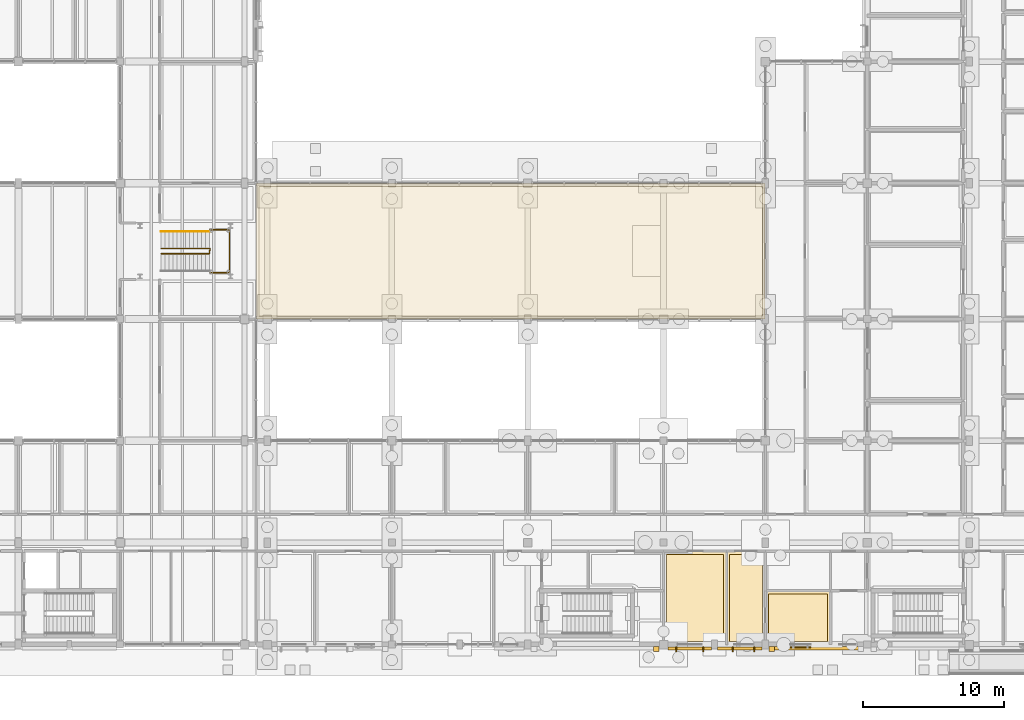
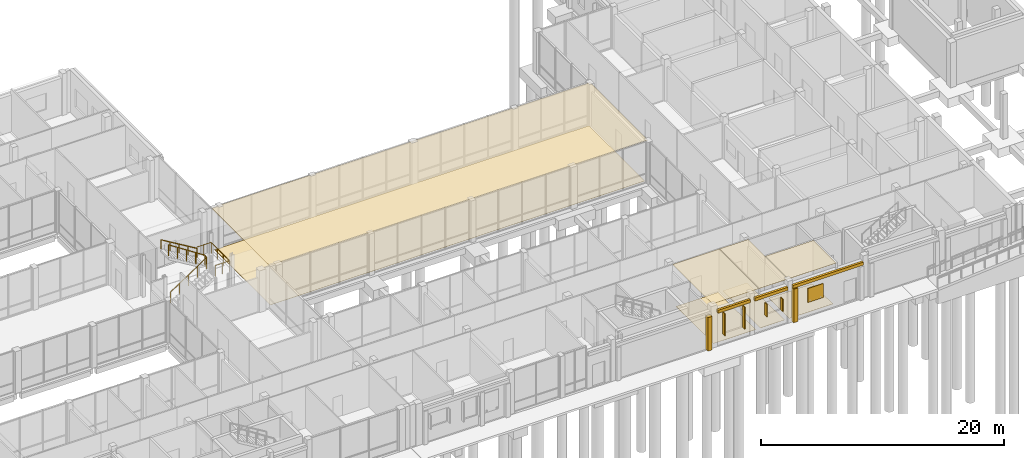
# One storey, part 98 of 104: 13 coverings, 5 shading devices, 3 railings.
"""IFC4 building model written with IfcOpenShell, lengths in metres."""

from ifc_helpers import new_model, si_unit, direction, frame, origin, origin_2d, place, context, subcontext, project, spatial, polyline, rectangle, circle, outline, extrude, material, layer, layer_set, type_object, element, save


model = new_model("IFC4")

# Units and contexts
model_context = context("Model", 3, precision=1e-05, world=origin(), true_north=direction((0.0, 1.0)))
body_context = subcontext(model_context, "Body", "Model", "MODEL_VIEW")
ifc_project = project(units=[si_unit("LENGTHUNIT", "METRE"), si_unit("AREAUNIT", "SQUARE_METRE"), si_unit("VOLUMEUNIT", "CUBIC_METRE"), si_unit("PLANEANGLEUNIT", "RADIAN"), si_unit("MASSUNIT", "GRAM", prefix="KILO")], contexts=[model_context])

# Site, building, storey
site_placement = place(None, origin())
site = spatial("IfcSite", under=ifc_project, at=site_placement, CompositionType="ELEMENT")
building_placement = place(site_placement, origin())
building = spatial("IfcBuilding", under=site, at=building_placement, Name="Hawrajan Terrace Health Centre", CompositionType="ELEMENT")
storey_placement = place(building_placement, origin())
storey = spatial("IfcBuildingStorey", under=building, at=storey_placement, Name="L00", CompositionType="ELEMENT", Elevation=0.0)

# Coverings
ifc_material_1 = material(Name="Precast concrete C40/50", Category="concrete")
ifc_layer_1 = layer(ifc_material_1, 0.219970703125)
ifc_layer_set_1 = layer_set([ifc_layer_1], Name="Precast concrete C40/50")
covering_type_1 = type_object("IfcCoveringType", Name="ArtDecoCorniceBand", PredefinedType="CLADDING", material=ifc_layer_set_1)
covering_1_placement = place(storey_placement, frame((102.449951171875, 3.929931640625, 3.3701171875), z_axis=(0.0, 0.0, 1.0), x_axis=(1.0, 0.0, 0.0)))
element("IfcCovering", 1, at=covering_1_placement, inside=storey, type_object=covering_type_1, Name="Art Deco limestone cornice band CRN-L00-0038", PredefinedType="CLADDING", context=body_context, shape_type="SweptSolid", body=[
    extrude(rectangle(XDim=3.06005859375, YDim=0.219970703125, at=origin_2d()), origin(), (0.0, 0.0, 1.0), 0.300048828125),
])
covering_2_placement = place(storey_placement, frame((105.987548828125, 3.929931640625, 3.3701171875), z_axis=(0.0, 0.0, 1.0), x_axis=(1.0, 0.0, 0.0)))
element("IfcCovering", 2, at=covering_2_placement, inside=storey, type_object=covering_type_1, Name="Art Deco limestone cornice band CRN-L00-0039", PredefinedType="CLADDING", context=body_context, shape_type="SweptSolid", body=[
    extrude(rectangle(XDim=3.135009765625, YDim=0.219970703125, at=origin_2d()), origin(), (0.0, 0.0, 1.0), 0.300048828125),
])
covering_3_placement = place(storey_placement, frame((111.387451171875, 3.93994140625, 3.3701171875), z_axis=(0.0, 0.0, 1.0), x_axis=(1.0, 0.0, 0.0)))
element("IfcCovering", 3, at=covering_3_placement, inside=storey, type_object=covering_type_1, Name="Art Deco limestone cornice band CRN-L00-0040", PredefinedType="CLADDING", context=body_context, shape_type="SweptSolid", body=[
    extrude(rectangle(XDim=6.68505859375, YDim=0.219970703125, at=origin_2d()), origin(), (0.0, 0.0, 1.0), 0.300048828125),
])
ifc_layer_2 = layer(ifc_material_1, 0.340087890625)
ifc_layer_set_2 = layer_set([ifc_layer_2], Name="Precast concrete C40/50")
covering_type_2 = type_object("IfcCoveringType", Name="ArtDecoStonePilaster", PredefinedType="CLADDING", material=ifc_layer_set_2)
for number, where, z_axis, x_axis, name in (
    (4, (100.080078125, 3.8798828125, 0.0), (0.0, 0.0, 1.0), (1.0, 0.0, 0.0), "Art Deco fluted limestone pilaster FPIL-L00-0048"),
    (5, (108.2451171875, 3.8798828125, 0.0), (0.0, 0.0, 1.0), (1.0, 0.0, 0.0), "Art Deco fluted limestone pilaster FPIL-L00-0049"),
):
    element("IfcCovering", number, at=place(storey_placement, frame(where, z_axis=z_axis, x_axis=x_axis)), inside=storey, type_object=covering_type_2, Name=name, PredefinedType="CLADDING", context=body_context, shape_type="SweptSolid", body=[
        extrude(rectangle(XDim=0.39990234375, YDim=0.340087890625, at=origin_2d()), origin(), (0.0, 0.0, 1.0), 3.360107421875),
    ])
ifc_material_2 = material(Name="Acoustic linear cedar-slat suspended ceiling")
ifc_layer_3 = layer(ifc_material_2, 0.034912109375)
ifc_layer_set_3 = layer_set([ifc_layer_3], Name="Acoustic linear cedar-slat suspended ceiling")
covering_type_3 = type_object("IfcCoveringType", Name="CedarSlatHallCeiling_35", PredefinedType="CEILING", material=ifc_layer_set_3)
covering_4_placement = place(storey_placement, frame((0.0, 0.0, 4.14501953125)))
element("IfcCovering", 6, at=covering_4_placement, inside=storey, type_object=covering_type_3, Name="Suspended ceiling L00-050", PredefinedType="CEILING", context=body_context, shape_type="SweptSolid", body=[
    extrude(outline(polyline([(71.824951171875, 36.780029296875), (107.780029296875, 36.780029296875), (107.780029296875, 27.219970703125), (71.824951171875, 27.219970703125), (71.824951171875, 36.780029296875)])), origin(), (0.0, 0.0, 1.0), 0.034912109375),
])
ifc_material_3 = material(Name="Hygienic mineral-fibre acoustic tile ceiling")
ifc_layer_4 = layer(ifc_material_3, 0.02490234375)
ifc_layer_set_4 = layer_set([ifc_layer_4], Name="Hygienic mineral-fibre acoustic tile ceiling")
covering_type_4 = type_object("IfcCoveringType", Name="ClinicalAcousticCeiling_25", PredefinedType="CEILING", material=ifc_layer_set_4)
covering_5_placement = place(storey_placement, frame((0.0, 0.0, 4.155029296875)))
element("IfcCovering", 7, at=covering_5_placement, inside=storey, type_object=covering_type_4, Name="Suspended ceiling L00-108", PredefinedType="CEILING", context=body_context, shape_type="SweptSolid", body=[
    extrude(outline(polyline([(100.6201171875, 10.780029296875), (105.036865234375, 10.780029296875), (105.036865234375, 4.219970703125), (100.6201171875, 4.219970703125), (100.6201171875, 10.780029296875)])), origin(), (0.0, 0.0, 1.0), 0.02490234375),
])
covering_6_placement = place(storey_placement, frame((0.0, 0.0, 4.155029296875)))
element("IfcCovering", 8, at=covering_6_placement, inside=storey, type_object=covering_type_4, Name="Suspended ceiling L00-109", PredefinedType="CEILING", context=body_context, shape_type="SweptSolid", body=[
    extrude(outline(polyline([(105.076904296875, 10.780029296875), (107.780029296875, 10.780029296875), (107.780029296875, 4.219970703125), (105.076904296875, 4.219970703125), (105.076904296875, 10.780029296875)])), origin(), (0.0, 0.0, 1.0), 0.02490234375),
])
covering_7_placement = place(storey_placement, frame((0.0, 0.0, 4.155029296875)))
element("IfcCovering", 9, at=covering_7_placement, inside=storey, type_object=covering_type_4, Name="Suspended ceiling L00-111", PredefinedType="CEILING", context=body_context, shape_type="SweptSolid", body=[
    extrude(outline(polyline([(107.820068359375, 7.97998046875), (112.3798828125, 7.97998046875), (112.3798828125, 4.219970703125), (107.820068359375, 4.219970703125), (107.820068359375, 7.97998046875)])), origin(), (0.0, 0.0, 1.0), 0.02490234375),
])
ifc_material_4 = material(Name="Seamless medical-grade cushioned vinyl flooring")
ifc_layer_5 = layer(ifc_material_4, 0.011962890625)
ifc_layer_set_5 = layer_set([ifc_layer_5], Name="Seamless medical-grade cushioned vinyl flooring")
covering_type_5 = type_object("IfcCoveringType", Name="ClinicalVinylFlooring_12", PredefinedType="FLOORING", material=ifc_layer_set_5)
covering_8_placement = place(storey_placement, origin())
element("IfcCovering", 10, at=covering_8_placement, inside=storey, type_object=covering_type_5, Name="Floor finish L00-108", PredefinedType="FLOORING", context=body_context, shape_type="SweptSolid", body=[
    extrude(outline(polyline([(100.820068359375, 10.580078125), (104.8369140625, 10.580078125), (104.8369140625, 4.419921875), (100.820068359375, 4.419921875), (100.820068359375, 10.580078125)])), origin(), (0.0, 0.0, 1.0), 0.011962890625),
])
covering_9_placement = place(storey_placement, origin())
element("IfcCovering", 11, at=covering_9_placement, inside=storey, type_object=covering_type_5, Name="Floor finish L00-109", PredefinedType="FLOORING", context=body_context, shape_type="SweptSolid", body=[
    extrude(outline(polyline([(105.27685546875, 10.580078125), (107.580078125, 10.580078125), (107.580078125, 4.419921875), (105.27685546875, 4.419921875), (105.27685546875, 10.580078125)])), origin(), (0.0, 0.0, 1.0), 0.011962890625),
])
covering_10_placement = place(storey_placement, origin())
element("IfcCovering", 12, at=covering_10_placement, inside=storey, type_object=covering_type_5, Name="Floor finish L00-111", PredefinedType="FLOORING", context=body_context, shape_type="SweptSolid", body=[
    extrude(outline(polyline([(108.02001953125, 7.780029296875), (112.179931640625, 7.780029296875), (112.179931640625, 4.419921875), (108.02001953125, 4.419921875), (108.02001953125, 7.780029296875)])), origin(), (0.0, 0.0, 1.0), 0.011962890625),
])

# Shading devices
ifc_material_5 = material(Name="Anodized bronze mashrabiya vertical solar fin")
ifc_layer_6 = layer(ifc_material_5, 0.080078125)
ifc_layer_set_6 = layer_set([ifc_layer_6], Name="Anodized bronze mashrabiya vertical solar fin")
shading_device_type_1 = type_object("IfcShadingDeviceType", Name="MashrabiyaVerticalFin", PredefinedType="USERDEFINED", material=ifc_layer_set_6)
for number, where, z_axis, x_axis, name in (
    (13, (101.5, 3.860107421875, 1.0), (0.0, 0.0, 1.0), (1.0, 0.0, 0.0), "Bronze mashrabiya solar fin FIN-L00-0038"),
    (14, (103.39990234375, 3.860107421875, 1.0), (0.0, 0.0, 1.0), (1.0, 0.0, 0.0), "Bronze mashrabiya solar fin FIN-L00-0039"),
):
    element("IfcShadingDevice", number, at=place(storey_placement, frame(where, z_axis=z_axis, x_axis=x_axis)), inside=storey, type_object=shading_device_type_1, Name=name, ObjectType="SOLAR_FIN", PredefinedType="USERDEFINED", context=body_context, shape_type="SweptSolid", body=[
        extrude(rectangle(XDim=0.080078125, YDim=0.360107421875, at=origin_2d()), origin(), (0.0, 0.0, 1.0), 2.199951171875),
    ])
for number, where, z_axis, x_axis, name in (
    (15, (105.505859375, 3.860107421875, 1.5), (0.0, 0.0, 1.0), (1.0, 0.0, 0.0), "Bronze mashrabiya solar fin FIN-L00-0040"),
    (16, (107.005859375, 3.860107421875, 1.5), (0.0, 0.0, 1.0), (1.0, 0.0, 0.0), "Bronze mashrabiya solar fin FIN-L00-0041"),
):
    element("IfcShadingDevice", number, at=place(storey_placement, frame(where, z_axis=z_axis, x_axis=x_axis)), inside=storey, type_object=shading_device_type_1, Name=name, ObjectType="SOLAR_FIN", PredefinedType="USERDEFINED", context=body_context, shape_type="SweptSolid", body=[
        extrude(rectangle(XDim=0.080078125, YDim=0.360107421875, at=origin_2d()), origin(), (0.0, 0.0, 1.0), 1.25),
    ])
ifc_material_6 = material(Name="Anodized bronze and cedar roshan lattice")
ifc_layer_7 = layer(ifc_material_6, 0.080078125)
ifc_layer_set_7 = layer_set([ifc_layer_7], Name="Anodized bronze and cedar roshan lattice")
shading_device_type_2 = type_object("IfcShadingDeviceType", Name="RoshanScreen_BronzeCedar", PredefinedType="JALOUSIE", material=ifc_layer_set_7)
shading_device_placement = place(storey_placement, frame((110.2724609375, 4.0048828125, 1.35009765625), z_axis=(0.0, 0.0, 1.0), x_axis=(1.0, 0.0, 0.0)))
element("IfcShadingDevice", 17, at=shading_device_placement, inside=storey, type_object=shading_device_type_2, Name="Hijazi roshan solar screen RSH-L00-042", PredefinedType="JALOUSIE", context=body_context, shape_type="SweptSolid", body=[
    extrude(rectangle(XDim=1.449951171875, YDim=0.080078125, at=origin_2d()), origin(), (0.0, 0.0, 1.0), 1.39990234375),
])

# Railings
ifc_material_7 = material(Name="Brushed stainless steel tubular handrail", Category="steel")
railing_type_1 = type_object("IfcRailingType", Name="StairHandrail_900", PredefinedType="HANDRAIL", material=ifc_material_7)
railing_1_placement = place(storey_placement, frame((68.52490234375, 33.39990234375, 2.423095703125)))
element("IfcRailing", 18, at=railing_1_placement, inside=storey, type_object=railing_type_1, Name="Stair handrail ST-10-L00-H2", PredefinedType="HANDRAIL", context=body_context, shape_type="SweptSolid", body=[
    extrude(circle(Radius=0.02392578125, at=origin_2d()), frame((-0.024658203125, 0.0, 0.890625), z_axis=(-0.856732359591, 0.0, 0.515761247119), x_axis=(0.0, -1.0, 0.0)), (0.0, 0.0, 1.0), 3.96923828125),
    extrude(circle(Radius=0.02099609375, at=origin_2d()), origin(), (0.0, 0.0, 1.0), 0.846923828125),
    extrude(circle(Radius=0.02099609375, at=origin_2d()), frame((-0.862548828125, 0.0, 0.519287109375)), (0.0, 0.0, 1.0), 0.846923828125),
    extrude(circle(Radius=0.02099609375, at=origin_2d()), frame((-1.72509765625, 0.0, 1.03857421875)), (0.0, 0.0, 1.0), 0.846923828125),
    extrude(circle(Radius=0.02099609375, at=origin_2d()), frame((-2.58740234375, 0.0, 1.5576171875)), (0.0, 0.0, 1.0), 0.846923828125),
    extrude(circle(Radius=0.02099609375, at=origin_2d()), frame((-3.449951171875, 0.0, 2.076904296875)), (0.0, 0.0, 1.0), 0.846923828125),
])
ifc_material_8 = material(Name="Painted steel stair well guard", Category="steel")
railing_type_2 = type_object("IfcRailingType", Name="StairWellGuard_1120", PredefinedType="GUARDRAIL", material=ifc_material_8)
railing_2_placement = place(storey_placement, frame((68.5400390625, 30.47998046875, 2.25)))
element("IfcRailing", 19, at=railing_2_placement, inside=storey, type_object=railing_type_2, Name="Feature stair half-landing perimeter guard", PredefinedType="GUARDRAIL", context=body_context, shape_type="SweptSolid", body=[
    extrude(circle(Radius=0.02392578125, at=origin_2d()), frame((0.02880859375, 0.0, 1.09619140625), z_axis=(1.0, 0.0, 0.0), x_axis=(0.0, 1.0, 0.0)), (0.0, 0.0, 1.0), 1.322265625),
    extrude(circle(Radius=0.02392578125, at=origin_2d()), frame((1.3798828125, 0.02880859375, 1.09619140625), z_axis=(0.0, 1.0, 0.0), x_axis=(-1.0, 0.0, 0.0)), (0.0, 0.0, 1.0), 2.982421875),
    extrude(circle(Radius=0.02392578125, at=origin_2d()), frame((1.35107421875, 3.0400390625, 1.09619140625), z_axis=(-1.0, 0.0, 0.0), x_axis=(0.0, -1.0, 0.0)), (0.0, 0.0, 1.0), 1.322265625),
    extrude(circle(Radius=0.02099609375, at=origin_2d()), origin(), (0.0, 0.0, 1.0), 1.067138671875),
    extrude(circle(Radius=0.02099609375, at=origin_2d()), frame((0.68994140625, 0.0, 0.0)), (0.0, 0.0, 1.0), 1.067138671875),
    extrude(circle(Radius=0.02099609375, at=origin_2d()), frame((1.3798828125, 0.0, 0.0)), (0.0, 0.0, 1.0), 1.067138671875),
    extrude(circle(Radius=0.02099609375, at=origin_2d()), frame((1.3798828125, 1.013427734375, 0.0)), (0.0, 0.0, 1.0), 1.067138671875),
    extrude(circle(Radius=0.02099609375, at=origin_2d()), frame((1.3798828125, 2.026611328125, 0.0)), (0.0, 0.0, 1.0), 1.067138671875),
    extrude(circle(Radius=0.02099609375, at=origin_2d()), frame((1.3798828125, 3.0400390625, 0.0)), (0.0, 0.0, 1.0), 1.067138671875),
    extrude(circle(Radius=0.02099609375, at=origin_2d()), frame((0.68994140625, 3.0400390625, 0.0)), (0.0, 0.0, 1.0), 1.067138671875),
    extrude(circle(Radius=0.02099609375, at=origin_2d()), frame((0.0, 3.0400390625, 0.0)), (0.0, 0.0, 1.0), 1.067138671875),
])
railing_3_placement = place(storey_placement, frame((65.10009765625, 31.820068359375, 0.0)))
element("IfcRailing", 20, at=railing_3_placement, inside=storey, type_object=railing_type_2, Name="Stair well guard ST-10-L00-G1", PredefinedType="GUARDRAIL", context=body_context, shape_type="SweptSolid", body=[
    extrude(circle(Radius=0.02392578125, at=origin_2d()), frame((0.024169921875, 0.0, 1.112060546875), z_axis=(0.833924910587, 0.0, 0.551877924456), x_axis=(0.0, 1.0, 0.0)), (0.0, 0.0, 1.0), 4.019287109375),
    extrude(circle(Radius=0.02392578125, at=origin_2d()), frame((3.40380859375, 0.028564453125, 3.34619140625), z_axis=(0.137751491602, 0.990466822544, 0.0), x_axis=(-0.990466822544, 0.137751491602, 0.0)), (0.0, 0.0, 1.0), 0.3056640625),
    extrude(circle(Radius=0.02392578125, at=origin_2d()), frame((3.42578125, 0.35986328125, 3.36181640625), z_axis=(-0.837607059222, 0.0, 0.546273204854), x_axis=(0.0, -1.0, 0.0)), (0.0, 0.0, 1.0), 4.06103515625),
    extrude(circle(Radius=0.02099609375, at=origin_2d()), origin(), (0.0, 0.0, 1.0), 1.067138671875),
    extrude(circle(Radius=0.02099609375, at=origin_2d()), frame((0.85009765625, 0.0, 0.5625)), (0.0, 0.0, 1.0), 1.067138671875),
    extrude(circle(Radius=0.02099609375, at=origin_2d()), frame((1.699951171875, 0.0, 1.125)), (0.0, 0.0, 1.0), 1.067138671875),
    extrude(circle(Radius=0.02099609375, at=origin_2d()), frame((2.5498046875, 0.0, 1.6875)), (0.0, 0.0, 1.0), 1.067138671875),
    extrude(circle(Radius=0.02099609375, at=origin_2d()), frame((3.39990234375, 0.0, 2.25)), (0.0, 0.0, 1.0), 1.067138671875),
    extrude(circle(Radius=0.02099609375, at=origin_2d()), frame((3.449951171875, 0.35986328125, 2.25)), (0.0, 0.0, 1.0), 1.067138671875),
    extrude(circle(Radius=0.02099609375, at=origin_2d()), frame((2.58740234375, 0.35986328125, 2.8125)), (0.0, 0.0, 1.0), 1.067138671875),
    extrude(circle(Radius=0.02099609375, at=origin_2d()), frame((1.72509765625, 0.35986328125, 3.375)), (0.0, 0.0, 1.0), 1.067138671875),
    extrude(circle(Radius=0.02099609375, at=origin_2d()), frame((0.862548828125, 0.35986328125, 3.9375)), (0.0, 0.0, 1.0), 1.067138671875),
    extrude(circle(Radius=0.02099609375, at=origin_2d()), frame((0.0, 0.35986328125, 4.5)), (0.0, 0.0, 1.0), 1.067138671875),
])

# Covering
ifc_material_9 = material(Name="Polished coral-aggregate terrazzo flooring")
ifc_layer_8 = layer(ifc_material_9, 0.02001953125)
ifc_layer_set_8 = layer_set([ifc_layer_8], Name="Polished coral-aggregate terrazzo flooring")
covering_type_6 = type_object("IfcCoveringType", Name="TerrazzoHallFlooring_20", PredefinedType="FLOORING", material=ifc_layer_set_8)
covering_11_placement = place(storey_placement, origin())
element("IfcCovering", 21, at=covering_11_placement, inside=storey, type_object=covering_type_6, Name="Floor finish L00-050", PredefinedType="FLOORING", context=body_context, shape_type="SweptSolid", body=[
    extrude(outline(polyline([(72.02490234375, 36.580078125), (107.580078125, 36.580078125), (107.580078125, 27.419921875), (72.02490234375, 27.419921875), (72.02490234375, 36.580078125)])), origin(), (0.0, 0.0, 1.0), 0.02001953125),
])

save(model, "model.ifc")
